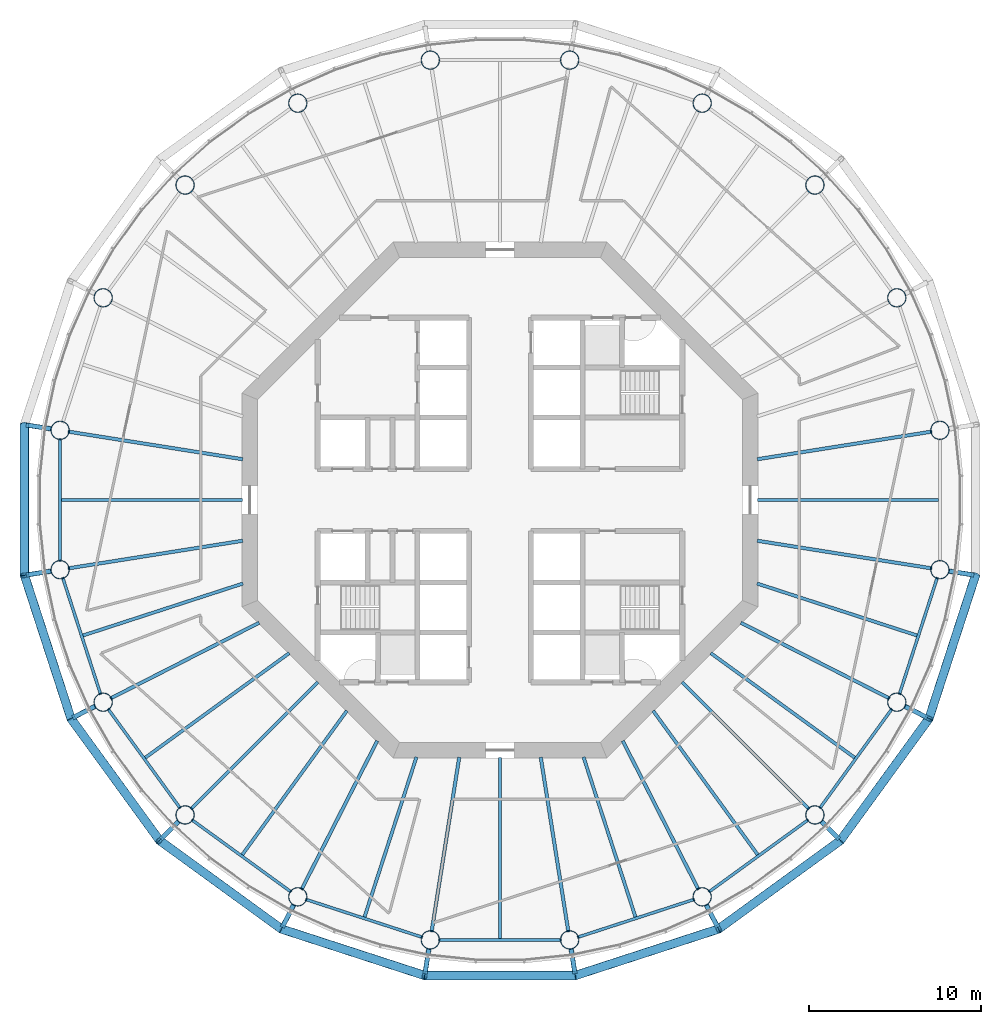
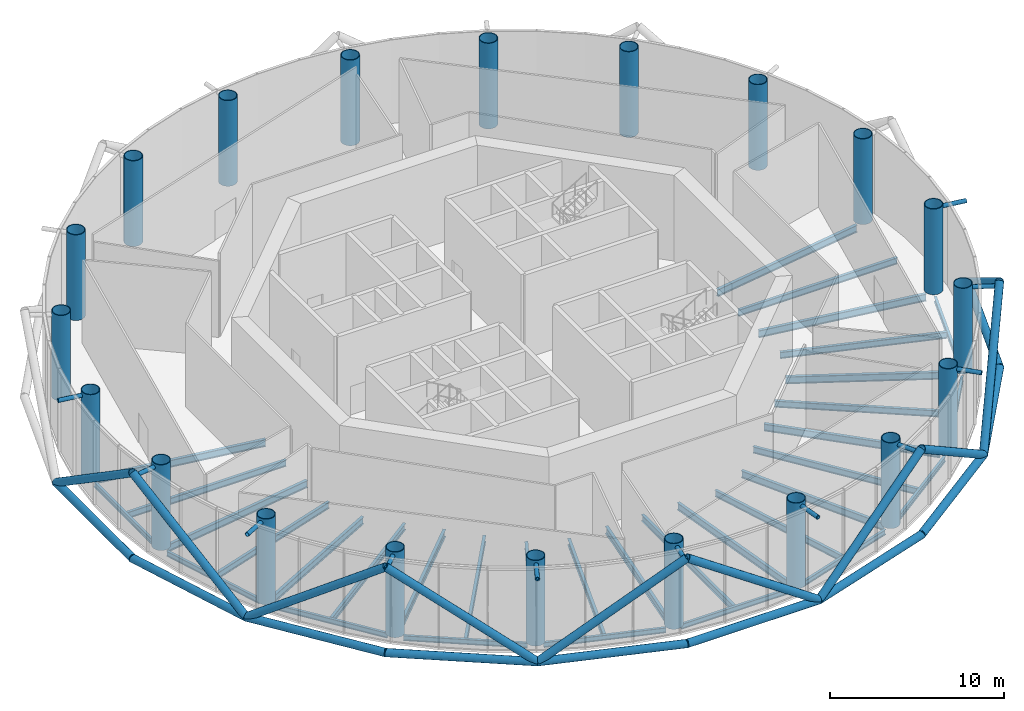
# One storey, part 1 of 14: 33 beams, 31 members, 20 columns.
"""IFC4 building model written with IfcOpenShell, lengths in metres."""

from ifc_helpers import new_model, si_unit, direction, frame, origin, origin_2d, place, context, subcontext, project, spatial, circle, hollow_circle, i_section, extrude, material, material_profile, profile_set, type_object, element, save


model = new_model("IFC4")

# Units and contexts
model_context = context("Model", 3, precision=1e-05, world=origin(), true_north=direction((0.0, 1.0)))
body_context = subcontext(model_context, "Body", "Model", "MODEL_VIEW")
ifc_project = project(units=[si_unit("LENGTHUNIT", "METRE"), si_unit("AREAUNIT", "SQUARE_METRE"), si_unit("VOLUMEUNIT", "CUBIC_METRE"), si_unit("PLANEANGLEUNIT", "RADIAN"), si_unit("MASSUNIT", "GRAM", prefix="KILO")], contexts=[model_context])

# Site, building, storey
site_placement = place(None, origin())
site = spatial("IfcSite", under=ifc_project, at=site_placement, CompositionType="ELEMENT")
building_placement = place(site_placement, origin())
building = spatial("IfcBuilding", under=site, at=building_placement, Name="Entoto Ring Tower", CompositionType="ELEMENT")
storey_placement = place(building_placement, frame((0.0, 0.0, 262.0)))
storey = spatial("IfcBuildingStorey", under=building, at=storey_placement, Name="L60", CompositionType="ELEMENT", Elevation=262.0)

# Columns
ifc_material_1 = material(Name="Steel S355", Category="steel")
ifc_material_profile_1 = material_profile(ifc_material_1, hollow_circle(Radius=0.550048828125, WallThickness=0.044921875, at=origin_2d()), Name="CHS 1100 x 45")
ifc_material_2 = material(Name="Concrete C60/75", Category="concrete")
ifc_material_profile_2 = material_profile(ifc_material_2, circle(Radius=0.5048828125, at=origin_2d()), Name="Concrete C60/75 infill")
ifc_profile_set_1 = profile_set([ifc_material_profile_1, ifc_material_profile_2], Name="Steel S355")
column_type = type_object("IfcColumnType", Name="Ring column 1100 x 45 concrete-filled tube", PredefinedType="COLUMN", material=ifc_profile_set_1)
for number, where, z_axis, x_axis, name in (
    (1, (115.5810546875, 84.0517578125, 0.0), (0.0, 0.0, 1.0), (1.0, 0.0, 0.0), "RC4B R01"),
    (2, (113.0771484375, 91.75830078125, 0.0), (0.0, 0.0, 1.0), (1.0, 0.0, 0.0), "RC4B R02"),
    (3, (108.31396484375, 98.31396484375, 0.0), (0.0, 0.0, 1.0), (1.0, 0.0, 0.0), "RC4B R03"),
    (4, (101.75830078125, 103.0771484375, 0.0), (0.0, 0.0, 1.0), (1.0, 0.0, 0.0), "RC4B R04"),
    (5, (94.0517578125, 105.5810546875, 0.0), (0.0, 0.0, 1.0), (1.0, 0.0, 0.0), "RC4B R05"),
    (6, (85.9482421875, 105.5810546875, 0.0), (0.0, 0.0, 1.0), (1.0, 0.0, 0.0), "RC4B R06"),
    (7, (78.24169921875, 103.0771484375, 0.0), (0.0, 0.0, 1.0), (1.0, 0.0, 0.0), "RC4B R07"),
    (8, (71.68603515625, 98.31396484375, 0.0), (0.0, 0.0, 1.0), (1.0, 0.0, 0.0), "RC4B R08"),
    (9, (66.9228515625, 91.75830078125, 0.0), (0.0, 0.0, 1.0), (1.0, 0.0, 0.0), "RC4B R09"),
    (10, (64.4189453125, 84.0517578125, 0.0), (0.0, 0.0, 1.0), (1.0, 0.0, 0.0), "RC4B R10"),
    (11, (64.4189453125, 75.9482421875, 0.0), (0.0, 0.0, 1.0), (1.0, 0.0, 0.0), "RC4B R11"),
    (12, (66.9228515625, 68.24169921875, 0.0), (0.0, 0.0, 1.0), (1.0, 0.0, 0.0), "RC4B R12"),
    (13, (71.68603515625, 61.68603515625, 0.0), (0.0, 0.0, 1.0), (1.0, 0.0, 0.0), "RC4B R13"),
    (14, (78.24169921875, 56.9228515625, 0.0), (0.0, 0.0, 1.0), (1.0, 0.0, 0.0), "RC4B R14"),
    (15, (85.9482421875, 54.4189453125, 0.0), (0.0, 0.0, 1.0), (1.0, 0.0, 0.0), "RC4B R15"),
    (16, (94.0517578125, 54.4189453125, 0.0), (0.0, 0.0, 1.0), (1.0, 0.0, 0.0), "RC4B R16"),
    (17, (101.75830078125, 56.9228515625, 0.0), (0.0, 0.0, 1.0), (1.0, 0.0, 0.0), "RC4B R17"),
    (18, (108.31396484375, 61.68603515625, 0.0), (0.0, 0.0, 1.0), (1.0, 0.0, 0.0), "RC4B R18"),
    (19, (113.0771484375, 68.24169921875, 0.0), (0.0, 0.0, 1.0), (1.0, 0.0, 0.0), "RC4B R19"),
    (20, (115.5810546875, 75.9482421875, 0.0), (0.0, 0.0, 1.0), (1.0, 0.0, 0.0), "RC4B R20"),
):
    element("IfcColumn", number, at=place(storey_placement, frame(where, z_axis=z_axis, x_axis=x_axis)), inside=storey, type_object=column_type, Name=name, PredefinedType="COLUMN", context=body_context, shape_type="SweptSolid", body=[
        extrude(hollow_circle(Radius=0.550048828125, WallThickness=0.044921875, at=origin_2d()), origin(), (0.0, 0.0, 1.0), 6.0),
    ])

# Members
ifc_material_3 = material(Name="Steel S355", Category="steel")
ifc_material_profile_3 = material_profile(ifc_material_3, hollow_circle(Radius=0.25390625, WallThickness=0.02490234375, at=origin_2d()), Name="CHS 508 x 25")
ifc_material_4 = material(Name="Concrete C60/75", Category="concrete")
ifc_material_profile_4 = material_profile(ifc_material_4, circle(Radius=0.22900390625, at=origin_2d()), Name="Concrete C60/75 infill")
ifc_profile_set_2 = profile_set([ifc_material_profile_3, ifc_material_profile_4], Name="Steel S355")
member_type_1 = type_object("IfcMemberType", Name="Diagrid diagonal 508 x 25 concrete-filled tube", PredefinedType="BRACE", material=ifc_profile_set_2)
for number, where, z_axis, x_axis, name in (
    (21, (62.3447265625, 84.380126953125, 0.0), (0.0, -0.825037584219, 0.565077857136), (1.0, 0.0, 0.0), "DG5 module 20 10"),
    (22, (65.0517578125, 67.288330078125, 0.0), (-0.254946582886, 0.784659730119, 0.56507640882), (-0.95105823263, -0.309011711991, 0.0), "DG5 module 20 11"),
):
    element("IfcMember", number, at=place(storey_placement, frame(where, z_axis=z_axis, x_axis=x_axis)), inside=storey, type_object=member_type_1, Name=name, PredefinedType="BRACE", context=body_context, shape_type="SweptSolid", body=[
        extrude(hollow_circle(Radius=0.25390625, WallThickness=0.02490234375, at=origin_2d()), origin(), (0.0, 0.0, 1.0), 10.617919921875),
    ])
for number, where, z_axis, x_axis, name in (
    (23, (65.0517578125, 67.288330078125, 0.0), (0.484940157309, -0.667479624801, 0.56506990214), (0.809024012567, 0.587775592458, 0.0), "DG5 module 20 12"),
    (24, (77.288330078125, 55.0517578125, 0.0), (-0.667479624801, 0.484940157309, 0.56506990214), (-0.587775592458, -0.809024012567, 0.0), "DG5 module 20 13"),
):
    element("IfcMember", number, at=place(storey_placement, frame(where, z_axis=z_axis, x_axis=x_axis)), inside=storey, type_object=member_type_1, Name=name, PredefinedType="BRACE", context=body_context, shape_type="SweptSolid", body=[
        extrude(hollow_circle(Radius=0.25390625, WallThickness=0.02490234375, at=origin_2d()), origin(), (0.0, 0.0, 1.0), 10.6181640625),
    ])
for number, where, z_axis, x_axis, name in (
    (25, (77.288330078125, 55.0517578125, 0.0), (0.784659730119, -0.254946582886, 0.56507640882), (0.309011711991, 0.95105823263, 0.0), "DG5 module 20 14"),
    (26, (94.380126953125, 52.3447265625, 0.0), (-0.825037584219, 0.0, 0.565077857136), (0.0, -1.0, 0.0), "DG5 module 20 15"),
    (27, (94.380126953125, 52.3447265625, 0.0), (0.784659730119, 0.254946582886, 0.56507640882), (-0.309011711991, 0.95105823263, 0.0), "DG5 module 20 16"),
):
    element("IfcMember", number, at=place(storey_placement, frame(where, z_axis=z_axis, x_axis=x_axis)), inside=storey, type_object=member_type_1, Name=name, PredefinedType="BRACE", context=body_context, shape_type="SweptSolid", body=[
        extrude(hollow_circle(Radius=0.25390625, WallThickness=0.02490234375, at=origin_2d()), origin(), (0.0, 0.0, 1.0), 10.617919921875),
    ])
for number, where, z_axis, x_axis, name in (
    (28, (109.799072265625, 60.200927734375, 0.0), (-0.667479624801, -0.484940157309, 0.56506990214), (0.587775592458, -0.809024012567, 0.0), "DG5 module 20 17"),
    (29, (109.799072265625, 60.200927734375, 0.0), (0.484940157309, 0.667479624801, 0.56506990214), (-0.809024012567, 0.587775592458, 0.0), "DG5 module 20 18"),
):
    element("IfcMember", number, at=place(storey_placement, frame(where, z_axis=z_axis, x_axis=x_axis)), inside=storey, type_object=member_type_1, Name=name, PredefinedType="BRACE", context=body_context, shape_type="SweptSolid", body=[
        extrude(hollow_circle(Radius=0.25390625, WallThickness=0.02490234375, at=origin_2d()), origin(), (0.0, 0.0, 1.0), 10.6181640625),
    ])
member_1_placement = place(storey_placement, frame((117.6552734375, 75.619873046875, 0.0), z_axis=(-0.254946582886, -0.784659730119, 0.56507640882), x_axis=(0.95105823263, -0.309011711991, 0.0)))
element("IfcMember", 30, at=member_1_placement, inside=storey, type_object=member_type_1, Name="DG5 module 20 19", PredefinedType="BRACE", context=body_context, shape_type="SweptSolid", body=[
    extrude(hollow_circle(Radius=0.25390625, WallThickness=0.02490234375, at=origin_2d()), origin(), (0.0, 0.0, 1.0), 10.617919921875),
])
ifc_material_5 = material(Name="Steel S355", Category="steel")
ifc_material_profile_5 = material_profile(ifc_material_5, hollow_circle(Radius=0.136474609375, WallThickness=0.012451171875, at=origin_2d()), Name="CHS 273 x 12.5")
ifc_material_6 = material(Name="Concrete C60/75", Category="concrete")
ifc_material_profile_6 = material_profile(ifc_material_6, circle(Radius=0.1240234375, at=origin_2d()), Name="Concrete C60/75 infill")
ifc_profile_set_3 = profile_set([ifc_material_profile_5, ifc_material_profile_6], Name="Steel S355")
member_type_2 = type_object("IfcMemberType", Name="Diagrid node strut 273 x 12.5", PredefinedType="STRUT", material=ifc_profile_set_3)
for number, where, z_axis, x_axis, name in (
    (31, (63.912353515625, 84.1318359375, 5.71337890625), (-0.987684301722, 0.156459963354, 0.0), (-0.156459963354, -0.987684301722, 0.0), "DS2 strut ring 20 10"),
    (32, (63.912353515625, 75.8681640625, 5.71337890625), (-0.987684301722, -0.156459963354, 0.0), (0.156459963354, -0.987684301722, 0.0), "DS2 strut ring 20 11"),
):
    element("IfcMember", number, at=place(storey_placement, frame(where, z_axis=z_axis, x_axis=x_axis)), inside=storey, type_object=member_type_2, Name=name, PredefinedType="STRUT", context=body_context, shape_type="SweptSolid", body=[
        extrude(hollow_circle(Radius=0.136474609375, WallThickness=0.012451171875, at=origin_2d()), origin(), (0.0, 0.0, 1.0), 1.487060546875),
    ])
for number, where, z_axis, x_axis, name in (
    (33, (66.466064453125, 68.0087890625, 5.71337890625), (-0.891053276869, -0.453898730756, 0.0), (0.453898730756, -0.891053276869, 0.0), "DS2 strut ring 20 12"),
    (34, (71.323486328125, 61.323486328125, 5.71337890625), (-0.707106781187, -0.707106781187, 0.0), (0.707106781187, -0.707106781187, 0.0), "DS2 strut ring 20 13"),
    (35, (78.0087890625, 56.466064453125, 5.71337890625), (-0.453898730756, -0.891053276869, 0.0), (0.891053276869, -0.453898730756, 0.0), "DS2 strut ring 20 14"),
):
    element("IfcMember", number, at=place(storey_placement, frame(where, z_axis=z_axis, x_axis=x_axis)), inside=storey, type_object=member_type_2, Name=name, PredefinedType="STRUT", context=body_context, shape_type="SweptSolid", body=[
        extrude(hollow_circle(Radius=0.136474609375, WallThickness=0.012451171875, at=origin_2d()), origin(), (0.0, 0.0, 1.0), 1.4873046875),
    ])
for number, where, z_axis, x_axis, name in (
    (36, (85.8681640625, 53.912353515625, 5.71337890625), (-0.156459963354, -0.987684301722, 0.0), (0.987684301722, -0.156459963354, 0.0), "DS2 strut ring 20 15"),
    (37, (94.1318359375, 53.912353515625, 5.71337890625), (0.156459963354, -0.987684301722, 0.0), (0.987684301722, 0.156459963354, 0.0), "DS2 strut ring 20 16"),
):
    element("IfcMember", number, at=place(storey_placement, frame(where, z_axis=z_axis, x_axis=x_axis)), inside=storey, type_object=member_type_2, Name=name, PredefinedType="STRUT", context=body_context, shape_type="SweptSolid", body=[
        extrude(hollow_circle(Radius=0.136474609375, WallThickness=0.012451171875, at=origin_2d()), origin(), (0.0, 0.0, 1.0), 1.487060546875),
    ])
for number, where, z_axis, x_axis, name in (
    (38, (101.9912109375, 56.466064453125, 5.71337890625), (0.453898730756, -0.891053276869, 0.0), (0.891053276869, 0.453898730756, 0.0), "DS2 strut ring 20 17"),
    (39, (108.676513671875, 61.323486328125, 5.71337890625), (0.707106781187, -0.707106781187, 0.0), (0.707106781187, 0.707106781187, 0.0), "DS2 strut ring 20 18"),
    (40, (113.533935546875, 68.0087890625, 5.71337890625), (0.891053276869, -0.453898730756, 0.0), (0.453898730756, 0.891053276869, 0.0), "DS2 strut ring 20 19"),
):
    element("IfcMember", number, at=place(storey_placement, frame(where, z_axis=z_axis, x_axis=x_axis)), inside=storey, type_object=member_type_2, Name=name, PredefinedType="STRUT", context=body_context, shape_type="SweptSolid", body=[
        extrude(hollow_circle(Radius=0.136474609375, WallThickness=0.012451171875, at=origin_2d()), origin(), (0.0, 0.0, 1.0), 1.4873046875),
    ])
member_2_placement = place(storey_placement, frame((116.087646484375, 75.8681640625, 5.71337890625), z_axis=(0.987684301722, -0.156459963354, 0.0), x_axis=(0.156459963354, 0.987684301722, 0.0)))
element("IfcMember", 41, at=member_2_placement, inside=storey, type_object=member_type_2, Name="DS2 strut ring 20 20", PredefinedType="STRUT", context=body_context, shape_type="SweptSolid", body=[
    extrude(hollow_circle(Radius=0.136474609375, WallThickness=0.012451171875, at=origin_2d()), origin(), (0.0, 0.0, 1.0), 1.487060546875),
])
ifc_material_7 = material(Name="Steel S355", Category="steel")
ifc_material_profile_7 = material_profile(ifc_material_7, hollow_circle(Radius=0.25390625, WallThickness=0.030029296875, at=origin_2d()), Name="CHS 508 x 30")
ifc_material_8 = material(Name="Concrete C60/75", Category="concrete")
ifc_material_profile_8 = material_profile(ifc_material_8, circle(Radius=0.22412109375, at=origin_2d()), Name="Concrete C60/75 infill")
ifc_profile_set_4 = profile_set([ifc_material_profile_7, ifc_material_profile_8], Name="Steel S355")
member_type_3 = type_object("IfcMemberType", Name="Diagrid ring beam 508 x 30", PredefinedType="CHORD", material=ifc_profile_set_4)
member_3_placement = place(storey_placement, frame((62.3447265625, 84.4404296875, 0.0), z_axis=(0.0, -1.0, 0.0), x_axis=(1.0, 0.0, 0.0)))
element("IfcMember", 42, at=member_3_placement, inside=storey, type_object=member_type_3, Name="DR2 ring 19 09", PredefinedType="CHORD", context=body_context, shape_type="SweptSolid", body=[
    extrude(hollow_circle(Radius=0.25390625, WallThickness=0.030029296875, at=origin_2d()), origin(), (0.0, 0.0, 1.0), 8.880859375),
])
for number, where, z_axis, x_axis, name in (
    (43, (62.326171875, 75.677001953125, 0.0), (0.309002151976, -0.951061338755, 0.0), (0.951061338755, 0.309002151976, 0.0), "DR2 ring 19 10"),
    (44, (65.016357421875, 67.3369140625, 0.0), (0.587790766961, -0.809012987705, 0.0), (0.809012987705, 0.587790766961, 0.0), "DR2 ring 19 11"),
    (45, (70.15234375, 60.236328125, 0.0), (0.809012987705, -0.587790766961, 0.0), (0.587790766961, 0.809012987705, 0.0), "DR2 ring 19 12"),
    (46, (77.23095703125, 55.0703125, 0.0), (0.951061338755, -0.309002151976, 0.0), (0.309002151976, 0.951061338755, 0.0), "DR2 ring 19 13"),
):
    element("IfcMember", number, at=place(storey_placement, frame(where, z_axis=z_axis, x_axis=x_axis)), inside=storey, type_object=member_type_3, Name=name, PredefinedType="CHORD", context=body_context, shape_type="SweptSolid", body=[
        extrude(hollow_circle(Radius=0.25390625, WallThickness=0.030029296875, at=origin_2d()), origin(), (0.0, 0.0, 1.0), 8.880615234375),
    ])
member_4_placement = place(storey_placement, frame((85.5595703125, 52.3447265625, 0.0), z_axis=(1.0, 0.0, 0.0), x_axis=(0.0, 1.0, 0.0)))
element("IfcMember", 47, at=member_4_placement, inside=storey, type_object=member_type_3, Name="DR2 ring 19 14", PredefinedType="CHORD", context=body_context, shape_type="SweptSolid", body=[
    extrude(hollow_circle(Radius=0.25390625, WallThickness=0.030029296875, at=origin_2d()), origin(), (0.0, 0.0, 1.0), 8.880859375),
])
for number, where, z_axis, x_axis, name in (
    (48, (94.322998046875, 52.326171875, 0.0), (0.951061338755, 0.309002151976, 0.0), (-0.309002151976, 0.951061338755, 0.0), "DR2 ring 19 15"),
    (49, (102.6630859375, 55.016357421875, 0.0), (0.809012987705, 0.587790766961, 0.0), (-0.587790766961, 0.809012987705, 0.0), "DR2 ring 19 16"),
    (50, (109.763671875, 60.15234375, 0.0), (0.587790766961, 0.809012987705, 0.0), (-0.809012987705, 0.587790766961, 0.0), "DR2 ring 19 17"),
    (51, (114.9296875, 67.23095703125, 0.0), (0.309002151976, 0.951061338755, 0.0), (-0.951061338755, 0.309002151976, 0.0), "DR2 ring 19 18"),
):
    element("IfcMember", number, at=place(storey_placement, frame(where, z_axis=z_axis, x_axis=x_axis)), inside=storey, type_object=member_type_3, Name=name, PredefinedType="CHORD", context=body_context, shape_type="SweptSolid", body=[
        extrude(hollow_circle(Radius=0.25390625, WallThickness=0.030029296875, at=origin_2d()), origin(), (0.0, 0.0, 1.0), 8.880615234375),
    ])

# Beams
ifc_material_9 = material(Name="Steel S355", Category="steel")
ifc_material_profile_9 = material_profile(ifc_material_9, i_section(OverallWidth=0.169921875, OverallDepth=0.360107421875, WebThickness=0.008056640625, FlangeThickness=0.0126953125, FilletRadius=0.01806640625, at=origin_2d()), Name="IPE 360")
ifc_profile_set_5 = profile_set([ifc_material_profile_9], Name="Steel S355")
beam_type_1 = type_object("IfcBeamType", Name="Edge beam IPE 360", PredefinedType="SPANDREL", material=ifc_profile_set_5)
beam_1_placement = place(storey_placement, frame((64.4189453125, 83.5791015625, -0.330078125), z_axis=(0.0, -1.0, 0.0), x_axis=(1.0, 0.0, 0.0)))
element("IfcBeam", 52, at=beam_1_placement, inside=storey, type_object=beam_type_1, Name="Edge beam L60 10", PredefinedType="SPANDREL", context=body_context, shape_type="SweptSolid", body=[
    extrude(i_section(OverallWidth=0.169921875, OverallDepth=0.360107421875, WebThickness=0.008056640625, FlangeThickness=0.0126953125, FilletRadius=0.01806640625, at=origin_2d()), origin(), (0.0, 0.0, 1.0), 7.158203125),
])
beam_2_placement = place(storey_placement, frame((64.56494140625, 75.498779296875, -0.330078125), z_axis=(0.309015118354, -0.951057125849, 0.0), x_axis=(0.951057125849, 0.309015118354, 0.0)))
element("IfcBeam", 53, at=beam_2_placement, inside=storey, type_object=beam_type_1, Name="Edge beam L60 11", PredefinedType="SPANDREL", context=body_context, shape_type="SweptSolid", body=[
    extrude(i_section(OverallWidth=0.169921875, OverallDepth=0.360107421875, WebThickness=0.008056640625, FlangeThickness=0.0126953125, FilletRadius=0.01806640625, at=origin_2d()), origin(), (0.0, 0.0, 1.0), 7.157958984375),
])
for number, where, z_axis, x_axis, name in (
    (54, (67.20068359375, 67.859375, -0.330078125), (0.587794432314, -0.809010324619, 0.0), (0.809010324619, 0.587794432314, 0.0), "Edge beam L60 12"),
    (55, (72.068359375, 61.408203125, -0.330078125), (0.809010324619, -0.587794432314, 0.0), (0.587794432314, 0.809010324619, 0.0), "Edge beam L60 13"),
):
    element("IfcBeam", number, at=place(storey_placement, frame(where, z_axis=z_axis, x_axis=x_axis)), inside=storey, type_object=beam_type_1, Name=name, PredefinedType="SPANDREL", context=body_context, shape_type="SweptSolid", body=[
        extrude(i_section(OverallWidth=0.169921875, OverallDepth=0.360107421875, WebThickness=0.008056640625, FlangeThickness=0.0126953125, FilletRadius=0.01806640625, at=origin_2d()), origin(), (0.0, 0.0, 1.0), 7.158203125),
    ])
beam_3_placement = place(storey_placement, frame((78.691162109375, 56.77685546875, -0.330078125), z_axis=(0.951057125849, -0.309015118354, 0.0), x_axis=(0.309015118354, 0.951057125849, 0.0)))
element("IfcBeam", 56, at=beam_3_placement, inside=storey, type_object=beam_type_1, Name="Edge beam L60 14", PredefinedType="SPANDREL", context=body_context, shape_type="SweptSolid", body=[
    extrude(i_section(OverallWidth=0.169921875, OverallDepth=0.360107421875, WebThickness=0.008056640625, FlangeThickness=0.0126953125, FilletRadius=0.01806640625, at=origin_2d()), origin(), (0.0, 0.0, 1.0), 7.157958984375),
])
beam_4_placement = place(storey_placement, frame((86.4208984375, 54.4189453125, -0.330078125), z_axis=(1.0, 0.0, 0.0), x_axis=(0.0, 1.0, 0.0)))
element("IfcBeam", 57, at=beam_4_placement, inside=storey, type_object=beam_type_1, Name="Edge beam L60 15", PredefinedType="SPANDREL", context=body_context, shape_type="SweptSolid", body=[
    extrude(i_section(OverallWidth=0.169921875, OverallDepth=0.360107421875, WebThickness=0.008056640625, FlangeThickness=0.0126953125, FilletRadius=0.01806640625, at=origin_2d()), origin(), (0.0, 0.0, 1.0), 7.158203125),
])
beam_5_placement = place(storey_placement, frame((94.501220703125, 54.56494140625, -0.330078125), z_axis=(0.951057125849, 0.309015118354, 0.0), x_axis=(-0.309015118354, 0.951057125849, 0.0)))
element("IfcBeam", 58, at=beam_5_placement, inside=storey, type_object=beam_type_1, Name="Edge beam L60 16", PredefinedType="SPANDREL", context=body_context, shape_type="SweptSolid", body=[
    extrude(i_section(OverallWidth=0.169921875, OverallDepth=0.360107421875, WebThickness=0.008056640625, FlangeThickness=0.0126953125, FilletRadius=0.01806640625, at=origin_2d()), origin(), (0.0, 0.0, 1.0), 7.157958984375),
])
for number, where, z_axis, x_axis, name in (
    (59, (102.140625, 57.20068359375, -0.330078125), (0.809010324619, 0.587794432314, 0.0), (-0.587794432314, 0.809010324619, 0.0), "Edge beam L60 17"),
    (60, (108.591796875, 62.068359375, -0.330078125), (0.587794432314, 0.809010324619, 0.0), (-0.809010324619, 0.587794432314, 0.0), "Edge beam L60 18"),
):
    element("IfcBeam", number, at=place(storey_placement, frame(where, z_axis=z_axis, x_axis=x_axis)), inside=storey, type_object=beam_type_1, Name=name, PredefinedType="SPANDREL", context=body_context, shape_type="SweptSolid", body=[
        extrude(i_section(OverallWidth=0.169921875, OverallDepth=0.360107421875, WebThickness=0.008056640625, FlangeThickness=0.0126953125, FilletRadius=0.01806640625, at=origin_2d()), origin(), (0.0, 0.0, 1.0), 7.158203125),
    ])
beam_6_placement = place(storey_placement, frame((113.22314453125, 68.691162109375, -0.330078125), z_axis=(0.309015118354, 0.951057125849, 0.0), x_axis=(-0.951057125849, 0.309015118354, 0.0)))
element("IfcBeam", 61, at=beam_6_placement, inside=storey, type_object=beam_type_1, Name="Edge beam L60 19", PredefinedType="SPANDREL", context=body_context, shape_type="SweptSolid", body=[
    extrude(i_section(OverallWidth=0.169921875, OverallDepth=0.360107421875, WebThickness=0.008056640625, FlangeThickness=0.0126953125, FilletRadius=0.01806640625, at=origin_2d()), origin(), (0.0, 0.0, 1.0), 7.157958984375),
])
ifc_material_10 = material(Name="Steel S355", Category="steel")
ifc_material_profile_10 = material_profile(ifc_material_10, i_section(OverallWidth=0.199951171875, OverallDepth=0.5, WebThickness=0.01025390625, FlangeThickness=0.01611328125, FilletRadius=0.02099609375, at=origin_2d()), Name="IPE 500")
ifc_profile_set_6 = profile_set([ifc_material_profile_10], Name="Steel S355")
beam_type_2 = type_object("IfcBeamType", Name="Primary floor beam IPE 500", PredefinedType="BEAM", material=ifc_profile_set_6)
for number, where, z_axis, x_axis, name in (
    (62, (104.964599609375, 82.3701171875, -0.39990234375), (0.987685619518, 0.156451644281, 0.0), (-0.156451644281, 0.987685619518, 0.0), "Primary L60 R01"),
    (63, (75.035400390625, 82.3701171875, -0.39990234375), (-0.987685619518, 0.156451644281, 0.0), (-0.156451644281, -0.987685619518, 0.0), "Primary L60 R10"),
    (64, (75.035400390625, 77.6298828125, -0.39990234375), (-0.987685619518, -0.156451644281, 0.0), (0.156451644281, -0.987685619518, 0.0), "Primary L60 R11"),
):
    element("IfcBeam", number, at=place(storey_placement, frame(where, z_axis=z_axis, x_axis=x_axis)), inside=storey, type_object=beam_type_2, Name=name, PredefinedType="BEAM", context=body_context, shape_type="SweptSolid", body=[
        extrude(i_section(OverallWidth=0.199951171875, OverallDepth=0.5, WebThickness=0.01025390625, FlangeThickness=0.01611328125, FilletRadius=0.02099609375, at=origin_2d()), origin(), (0.0, 0.0, 1.0), 10.27880859375),
    ])
beam_7_placement = place(storey_placement, frame((75.993896484375, 72.863525390625, -0.39990234375), z_axis=(-0.891012442297, -0.45397888461, 0.0), x_axis=(0.45397888461, -0.891012442297, 0.0)))
element("IfcBeam", 65, at=beam_7_placement, inside=storey, type_object=beam_type_2, Name="Primary L60 R12", PredefinedType="BEAM", context=body_context, shape_type="SweptSolid", body=[
    extrude(i_section(OverallWidth=0.199951171875, OverallDepth=0.5, WebThickness=0.01025390625, FlangeThickness=0.01611328125, FilletRadius=0.02099609375, at=origin_2d()), origin(), (0.0, 0.0, 1.0), 9.710693359375),
])
beam_8_placement = place(storey_placement, frame((79.407470703125, 69.407470703125, -0.39990234375), z_axis=(-0.707106781187, -0.707106781187, 0.0), x_axis=(0.707106781187, -0.707106781187, 0.0)))
element("IfcBeam", 66, at=beam_8_placement, inside=storey, type_object=beam_type_2, Name="Primary L60 R13", PredefinedType="BEAM", context=body_context, shape_type="SweptSolid", body=[
    extrude(i_section(OverallWidth=0.199951171875, OverallDepth=0.5, WebThickness=0.01025390625, FlangeThickness=0.01611328125, FilletRadius=0.02099609375, at=origin_2d()), origin(), (0.0, 0.0, 1.0), 10.4501953125),
])
beam_9_placement = place(storey_placement, frame((82.863525390625, 65.993896484375, -0.39990234375), z_axis=(-0.45397888461, -0.891012442297, 0.0), x_axis=(0.891012442297, -0.45397888461, 0.0)))
element("IfcBeam", 67, at=beam_9_placement, inside=storey, type_object=beam_type_2, Name="Primary L60 R14", PredefinedType="BEAM", context=body_context, shape_type="SweptSolid", body=[
    extrude(i_section(OverallWidth=0.199951171875, OverallDepth=0.5, WebThickness=0.01025390625, FlangeThickness=0.01611328125, FilletRadius=0.02099609375, at=origin_2d()), origin(), (0.0, 0.0, 1.0), 9.710693359375),
])
for number, where, z_axis, x_axis, name in (
    (68, (87.6298828125, 65.035400390625, -0.39990234375), (-0.156451644281, -0.987685619518, 0.0), (0.987685619518, -0.156451644281, 0.0), "Primary L60 R15"),
    (69, (92.3701171875, 65.035400390625, -0.39990234375), (0.156451644281, -0.987685619518, 0.0), (0.987685619518, 0.156451644281, 0.0), "Primary L60 R16"),
):
    element("IfcBeam", number, at=place(storey_placement, frame(where, z_axis=z_axis, x_axis=x_axis)), inside=storey, type_object=beam_type_2, Name=name, PredefinedType="BEAM", context=body_context, shape_type="SweptSolid", body=[
        extrude(i_section(OverallWidth=0.199951171875, OverallDepth=0.5, WebThickness=0.01025390625, FlangeThickness=0.01611328125, FilletRadius=0.02099609375, at=origin_2d()), origin(), (0.0, 0.0, 1.0), 10.27880859375),
    ])
beam_10_placement = place(storey_placement, frame((97.136474609375, 65.993896484375, -0.39990234375), z_axis=(0.45397888461, -0.891012442297, 0.0), x_axis=(0.891012442297, 0.45397888461, 0.0)))
element("IfcBeam", 70, at=beam_10_placement, inside=storey, type_object=beam_type_2, Name="Primary L60 R17", PredefinedType="BEAM", context=body_context, shape_type="SweptSolid", body=[
    extrude(i_section(OverallWidth=0.199951171875, OverallDepth=0.5, WebThickness=0.01025390625, FlangeThickness=0.01611328125, FilletRadius=0.02099609375, at=origin_2d()), origin(), (0.0, 0.0, 1.0), 9.710693359375),
])
beam_11_placement = place(storey_placement, frame((100.592529296875, 69.407470703125, -0.39990234375), z_axis=(0.707106781187, -0.707106781187, 0.0), x_axis=(0.707106781187, 0.707106781187, 0.0)))
element("IfcBeam", 71, at=beam_11_placement, inside=storey, type_object=beam_type_2, Name="Primary L60 R18", PredefinedType="BEAM", context=body_context, shape_type="SweptSolid", body=[
    extrude(i_section(OverallWidth=0.199951171875, OverallDepth=0.5, WebThickness=0.01025390625, FlangeThickness=0.01611328125, FilletRadius=0.02099609375, at=origin_2d()), origin(), (0.0, 0.0, 1.0), 10.4501953125),
])
beam_12_placement = place(storey_placement, frame((104.006103515625, 72.863525390625, -0.39990234375), z_axis=(0.891012442297, -0.45397888461, 0.0), x_axis=(0.45397888461, 0.891012442297, 0.0)))
element("IfcBeam", 72, at=beam_12_placement, inside=storey, type_object=beam_type_2, Name="Primary L60 R19", PredefinedType="BEAM", context=body_context, shape_type="SweptSolid", body=[
    extrude(i_section(OverallWidth=0.199951171875, OverallDepth=0.5, WebThickness=0.01025390625, FlangeThickness=0.01611328125, FilletRadius=0.02099609375, at=origin_2d()), origin(), (0.0, 0.0, 1.0), 9.710693359375),
])
beam_13_placement = place(storey_placement, frame((104.964599609375, 77.6298828125, -0.39990234375), z_axis=(0.987685619518, -0.156451644281, 0.0), x_axis=(0.156451644281, 0.987685619518, 0.0)))
element("IfcBeam", 73, at=beam_13_placement, inside=storey, type_object=beam_type_2, Name="Primary L60 R20", PredefinedType="BEAM", context=body_context, shape_type="SweptSolid", body=[
    extrude(i_section(OverallWidth=0.199951171875, OverallDepth=0.5, WebThickness=0.01025390625, FlangeThickness=0.01611328125, FilletRadius=0.02099609375, at=origin_2d()), origin(), (0.0, 0.0, 1.0), 10.27880859375),
])
ifc_material_11 = material(Name="Steel S355", Category="steel")
ifc_material_profile_11 = material_profile(ifc_material_11, i_section(OverallWidth=0.18994140625, OverallDepth=0.449951171875, WebThickness=0.009521484375, FlangeThickness=0.0146484375, FilletRadius=0.02099609375, at=origin_2d()), Name="IPE 450")
ifc_profile_set_7 = profile_set([ifc_material_profile_11], Name="Steel S355")
beam_type_3 = type_object("IfcBeamType", Name="Secondary floor beam IPE 450", PredefinedType="JOIST", material=ifc_profile_set_7)
beam_14_placement = place(storey_placement, frame((75.02001953125, 80.0, -0.375), z_axis=(-1.0, 0.0, 0.0), x_axis=(0.0, -1.0, 0.0)))
element("IfcBeam", 74, at=beam_14_placement, inside=storey, type_object=beam_type_3, Name="Secondary beam L60 10", PredefinedType="JOIST", context=body_context, shape_type="SweptSolid", body=[
    extrude(i_section(OverallWidth=0.18994140625, OverallDepth=0.449951171875, WebThickness=0.009521484375, FlangeThickness=0.0146484375, FilletRadius=0.02099609375, at=origin_2d()), origin(), (0.0, 0.0, 1.0), 10.51611328125),
])
beam_15_placement = place(storey_placement, frame((75.04833984375, 75.141845703125, -0.375), z_axis=(-0.951061045963, -0.309003053144, 0.0), x_axis=(0.309003053144, -0.951061045963, 0.0)))
element("IfcBeam", 75, at=beam_15_placement, inside=storey, type_object=beam_type_3, Name="Secondary beam L60 11", PredefinedType="JOIST", context=body_context, shape_type="SweptSolid", body=[
    extrude(i_section(OverallWidth=0.18994140625, OverallDepth=0.449951171875, WebThickness=0.009521484375, FlangeThickness=0.0146484375, FilletRadius=0.02099609375, at=origin_2d()), origin(), (0.0, 0.0, 1.0), 9.77490234375),
])
for number, where, z_axis, x_axis, name in (
    (76, (77.741943359375, 71.093994140625, -0.375), (-0.809010538485, -0.58779413796, 0.0), (0.58779413796, -0.809010538485, 0.0), "Secondary beam L60 12"),
    (77, (81.093994140625, 67.741943359375, -0.375), (-0.58779413796, -0.809010538485, 0.0), (0.809010538485, -0.58779413796, 0.0), "Secondary beam L60 13"),
):
    element("IfcBeam", number, at=place(storey_placement, frame(where, z_axis=z_axis, x_axis=x_axis)), inside=storey, type_object=beam_type_3, Name=name, PredefinedType="JOIST", context=body_context, shape_type="SweptSolid", body=[
        extrude(i_section(OverallWidth=0.18994140625, OverallDepth=0.449951171875, WebThickness=0.009521484375, FlangeThickness=0.0146484375, FilletRadius=0.02099609375, at=origin_2d()), origin(), (0.0, 0.0, 1.0), 10.34423828125),
    ])
beam_16_placement = place(storey_placement, frame((85.141845703125, 65.04833984375, -0.375), z_axis=(-0.309003053144, -0.951061045963, 0.0), x_axis=(0.951061045963, -0.309003053144, 0.0)))
element("IfcBeam", 78, at=beam_16_placement, inside=storey, type_object=beam_type_3, Name="Secondary beam L60 14", PredefinedType="JOIST", context=body_context, shape_type="SweptSolid", body=[
    extrude(i_section(OverallWidth=0.18994140625, OverallDepth=0.449951171875, WebThickness=0.009521484375, FlangeThickness=0.0146484375, FilletRadius=0.02099609375, at=origin_2d()), origin(), (0.0, 0.0, 1.0), 9.77490234375),
])
beam_17_placement = place(storey_placement, frame((90.0, 65.02001953125, -0.375), z_axis=(0.0, -1.0, 0.0), x_axis=(1.0, 0.0, 0.0)))
element("IfcBeam", 79, at=beam_17_placement, inside=storey, type_object=beam_type_3, Name="Secondary beam L60 15", PredefinedType="JOIST", context=body_context, shape_type="SweptSolid", body=[
    extrude(i_section(OverallWidth=0.18994140625, OverallDepth=0.449951171875, WebThickness=0.009521484375, FlangeThickness=0.0146484375, FilletRadius=0.02099609375, at=origin_2d()), origin(), (0.0, 0.0, 1.0), 10.51611328125),
])
beam_18_placement = place(storey_placement, frame((94.858154296875, 65.04833984375, -0.375), z_axis=(0.309003053144, -0.951061045963, 0.0), x_axis=(0.951061045963, 0.309003053144, 0.0)))
element("IfcBeam", 80, at=beam_18_placement, inside=storey, type_object=beam_type_3, Name="Secondary beam L60 16", PredefinedType="JOIST", context=body_context, shape_type="SweptSolid", body=[
    extrude(i_section(OverallWidth=0.18994140625, OverallDepth=0.449951171875, WebThickness=0.009521484375, FlangeThickness=0.0146484375, FilletRadius=0.02099609375, at=origin_2d()), origin(), (0.0, 0.0, 1.0), 9.77490234375),
])
for number, where, z_axis, x_axis, name in (
    (81, (98.906005859375, 67.741943359375, -0.375), (0.58779413796, -0.809010538485, 0.0), (0.809010538485, 0.58779413796, 0.0), "Secondary beam L60 17"),
    (82, (102.258056640625, 71.093994140625, -0.375), (0.809010538485, -0.58779413796, 0.0), (0.58779413796, 0.809010538485, 0.0), "Secondary beam L60 18"),
):
    element("IfcBeam", number, at=place(storey_placement, frame(where, z_axis=z_axis, x_axis=x_axis)), inside=storey, type_object=beam_type_3, Name=name, PredefinedType="JOIST", context=body_context, shape_type="SweptSolid", body=[
        extrude(i_section(OverallWidth=0.18994140625, OverallDepth=0.449951171875, WebThickness=0.009521484375, FlangeThickness=0.0146484375, FilletRadius=0.02099609375, at=origin_2d()), origin(), (0.0, 0.0, 1.0), 10.34423828125),
    ])
beam_19_placement = place(storey_placement, frame((104.95166015625, 75.141845703125, -0.375), z_axis=(0.951061045963, -0.309003053144, 0.0), x_axis=(0.309003053144, 0.951061045963, 0.0)))
element("IfcBeam", 83, at=beam_19_placement, inside=storey, type_object=beam_type_3, Name="Secondary beam L60 19", PredefinedType="JOIST", context=body_context, shape_type="SweptSolid", body=[
    extrude(i_section(OverallWidth=0.18994140625, OverallDepth=0.449951171875, WebThickness=0.009521484375, FlangeThickness=0.0146484375, FilletRadius=0.02099609375, at=origin_2d()), origin(), (0.0, 0.0, 1.0), 9.77490234375),
])
beam_20_placement = place(storey_placement, frame((104.97998046875, 80.0, -0.375), z_axis=(1.0, 0.0, 0.0), x_axis=(0.0, 1.0, 0.0)))
element("IfcBeam", 84, at=beam_20_placement, inside=storey, type_object=beam_type_3, Name="Secondary beam L60 20", PredefinedType="JOIST", context=body_context, shape_type="SweptSolid", body=[
    extrude(i_section(OverallWidth=0.18994140625, OverallDepth=0.449951171875, WebThickness=0.009521484375, FlangeThickness=0.0146484375, FilletRadius=0.02099609375, at=origin_2d()), origin(), (0.0, 0.0, 1.0), 10.51611328125),
])

save(model, "model.ifc")
